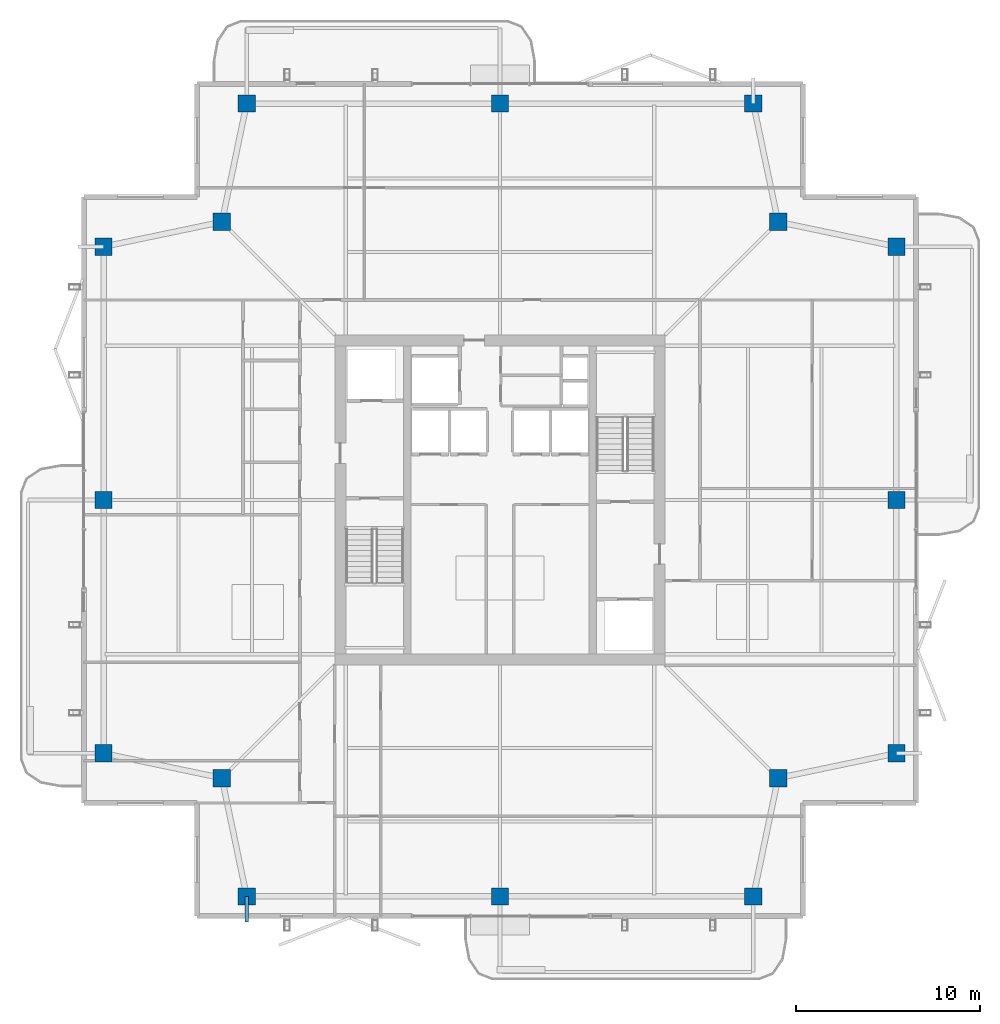
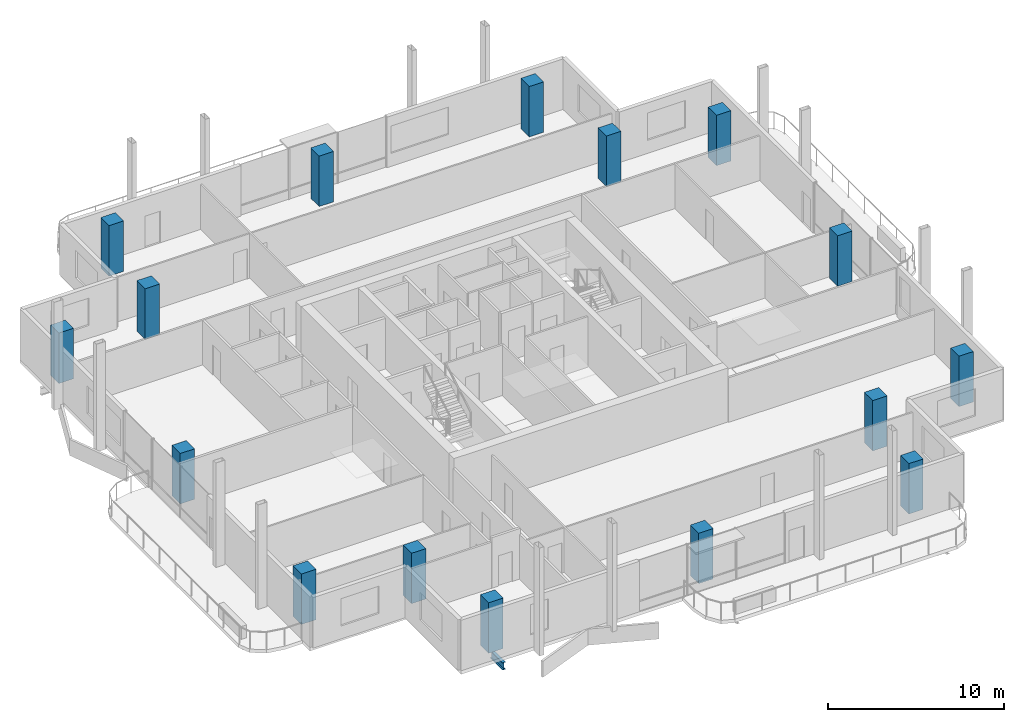
# One storey, part 1 of 20: 16 columns, 1 beam.
"""IFC4 building model written with IfcOpenShell, lengths in metres."""

from ifc_helpers import new_model, si_unit, direction, frame, origin, origin_2d, place, context, subcontext, project, spatial, rectangle, i_section, extrude, material, material_profile, profile_set, type_object, element, save


model = new_model("IFC4")

# Units and contexts
model_context = context("Model", 3, precision=1e-05, world=origin(), true_north=direction((0.0, 1.0)))
body_context = subcontext(model_context, "Body", "Model", "MODEL_VIEW")
ifc_project = project(units=[si_unit("LENGTHUNIT", "METRE"), si_unit("AREAUNIT", "SQUARE_METRE"), si_unit("VOLUMEUNIT", "CUBIC_METRE"), si_unit("PLANEANGLEUNIT", "RADIAN"), si_unit("MASSUNIT", "GRAM", prefix="KILO")], contexts=[model_context])

# Site, building, storey
site_placement = place(None, origin())
site = spatial("IfcSite", under=ifc_project, at=site_placement, CompositionType="ELEMENT")
building_placement = place(site_placement, origin())
building = spatial("IfcBuilding", under=site, at=building_placement, Name="Belovzor Exchange Tower", CompositionType="ELEMENT")
storey_placement = place(building_placement, frame((0.0, 0.0, 306.75)))
storey = spatial("IfcBuildingStorey", under=building, at=storey_placement, Name="L76", CompositionType="ELEMENT", Elevation=306.75)

# Columns
ifc_material_1 = material(Name="Concrete C50/60", Category="concrete")
ifc_material_profile_1 = material_profile(ifc_material_1, rectangle(XDim=0.949951171875, YDim=0.949951171875, at=origin_2d()))
ifc_profile_set_1 = profile_set([ifc_material_profile_1], Name="Concrete C50/60")
column_type = type_object("IfcColumnType", Name="Reinforced Concrete Tower Column 950x950", PredefinedType="COLUMN", material=ifc_profile_set_1)
for number, where, z_axis, x_axis, name in (
    (1, (15.0, 7.199951171875, 0.0029296875), (0.0, 0.0, 1.0), (1.0, 0.0, 0.0), "COL-T095 Reinforced Concrete Tower Column 950x950"),
    (2, (28.800048828125, 7.199951171875, 0.0029296875), (0.0, 0.0, 1.0), (1.0, 0.0, 0.0), "COL-T095 Reinforced Concrete Tower Column 950x950"),
    (3, (42.60009765625, 7.199951171875, 0.0029296875), (0.0, 0.0, 1.0), (1.0, 0.0, 0.0), "COL-T095 Reinforced Concrete Tower Column 950x950"),
    (4, (50.39990234375, 15.0, 0.0029296875), (0.0, 0.0, 1.0), (1.0, 0.0, 0.0), "COL-T095 Reinforced Concrete Tower Column 950x950"),
    (5, (50.39990234375, 28.800048828125, 0.0029296875), (0.0, 0.0, 1.0), (1.0, 0.0, 0.0), "COL-T095 Reinforced Concrete Tower Column 950x950"),
    (6, (50.39990234375, 42.60009765625, 0.0029296875), (0.0, 0.0, 1.0), (1.0, 0.0, 0.0), "COL-T095 Reinforced Concrete Tower Column 950x950"),
    (7, (42.60009765625, 50.39990234375, 0.0029296875), (0.0, 0.0, 1.0), (1.0, 0.0, 0.0), "COL-T095 Reinforced Concrete Tower Column 950x950"),
    (8, (28.800048828125, 50.39990234375, 0.0029296875), (0.0, 0.0, 1.0), (1.0, 0.0, 0.0), "COL-T095 Reinforced Concrete Tower Column 950x950"),
    (9, (15.0, 50.39990234375, 0.0029296875), (0.0, 0.0, 1.0), (1.0, 0.0, 0.0), "COL-T095 Reinforced Concrete Tower Column 950x950"),
    (10, (7.199951171875, 42.60009765625, 0.0029296875), (0.0, 0.0, 1.0), (1.0, 0.0, 0.0), "COL-T095 Reinforced Concrete Tower Column 950x950"),
    (11, (7.199951171875, 28.800048828125, 0.0029296875), (0.0, 0.0, 1.0), (1.0, 0.0, 0.0), "COL-T095 Reinforced Concrete Tower Column 950x950"),
    (12, (7.199951171875, 15.0, 0.0029296875), (0.0, 0.0, 1.0), (1.0, 0.0, 0.0), "COL-T095 Reinforced Concrete Tower Column 950x950"),
    (13, (13.64990234375, 13.64990234375, 0.0029296875), (0.0, 0.0, 1.0), (1.0, 0.0, 0.0), "COL-T095 Reinforced Concrete Tower Column 950x950"),
    (14, (43.949951171875, 13.64990234375, 0.0029296875), (0.0, 0.0, 1.0), (1.0, 0.0, 0.0), "COL-T095 Reinforced Concrete Tower Column 950x950"),
    (15, (43.949951171875, 43.949951171875, 0.0029296875), (0.0, 0.0, 1.0), (1.0, 0.0, 0.0), "COL-T095 Reinforced Concrete Tower Column 950x950"),
    (16, (13.64990234375, 43.949951171875, 0.0029296875), (0.0, 0.0, 1.0), (1.0, 0.0, 0.0), "COL-T095 Reinforced Concrete Tower Column 950x950"),
):
    element("IfcColumn", number, at=place(storey_placement, frame(where, z_axis=z_axis, x_axis=x_axis)), inside=storey, type_object=column_type, Name=name, PredefinedType="COLUMN", context=body_context, shape_type="SweptSolid", body=[
        extrude(rectangle(XDim=0.949951171875, YDim=0.949951171875, at=origin_2d()), origin(), (0.0, 0.0, 1.0), 3.504150390625),
    ])

# Beam
ifc_material_2 = material(Name="Steel S355", Category="steel")
ifc_material_profile_2 = material_profile(ifc_material_2, i_section(OverallWidth=0.199951171875, OverallDepth=0.5, WebThickness=0.01025390625, FlangeThickness=0.01611328125, at=origin_2d()))
ifc_profile_set_2 = profile_set([ifc_material_profile_2], Name="Steel S355")
beam_type = type_object("IfcBeamType", Name="Planted Balcony Cantilever Beam IPE 500", PredefinedType="BEAM", material=ifc_profile_set_2)
beam_placement = place(storey_placement, frame((15.0, 7.199951171875, -0.489990234375), z_axis=(0.0, -1.0, 0.0), x_axis=(1.0, 0.0, 0.0)))
element("IfcBeam", 17, at=beam_placement, inside=storey, type_object=beam_type, Name="BC-500 Planted Balcony Cantilever Beam IPE 500", PredefinedType="BEAM", context=body_context, shape_type="SweptSolid", body=[
    extrude(i_section(OverallWidth=0.199951171875, OverallDepth=0.5, WebThickness=0.01025390625, FlangeThickness=0.01611328125, at=origin_2d()), origin(), (0.0, 0.0, 1.0), 1.39990234375),
])

save(model, "model.ifc")
